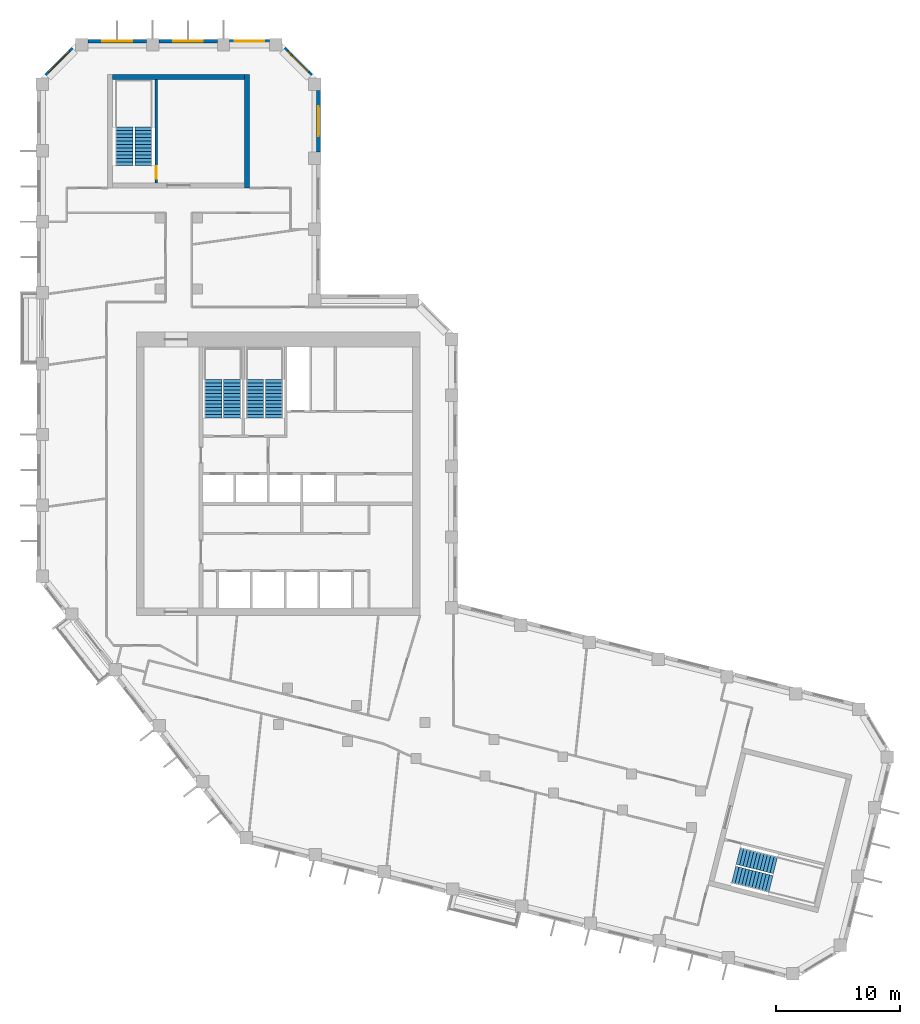
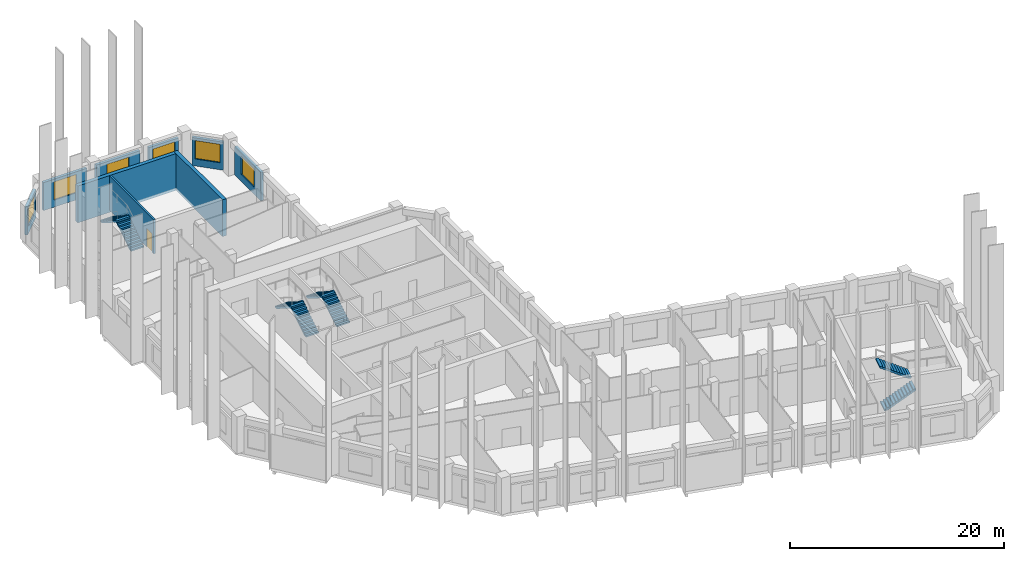
# One storey, part 8 of 9: 9 walls, 8 stair flights, 6 windows, 1 door, 7 openings, 4 elements without a shape of their own.
"""IFC4 building model written with IfcOpenShell, lengths in metres."""

import ifcopenshell
import ifcopenshell.guid

model = None  # the IFC model being written
_history = None  # IfcOwnerHistory: only IFC2X3 demands one
_inside = {}  # id of a spatial element -> (the spatial element, [elements in it])
_under = {}  # id of a project, library or spatial element -> (it, [spatial elements below it])
_declared = {}  # id of a project -> (the project, [libraries it declares])
_typed = {}  # id of a type object -> (the type object, [elements of that type])
_made_of = {}  # id of a material, layer set ... -> (it, [elements and type objects made of it])


def new_model(schema):
    """Start an empty IFC model of exactly this schema.

    Asked for "IFC4X3", IfcOpenShell would pick the latest addendum, in which some entities
    have other attributes; the version numbers below select the first issue.
    IFC2X3 requires an IfcOwnerHistory on every rooted entity: one is made here for all.
    """
    global model, _history
    if schema == "IFC4X3":
        model = ifcopenshell.file(schema_version=(4, 3, 0, 0))
    else:
        model = ifcopenshell.file(schema=schema)
    _inside.clear()
    _under.clear()
    _declared.clear()
    _typed.clear()
    _made_of.clear()
    _history = None
    if model.schema == "IFC2X3":
        org = make("IfcOrganization", Name="unknown")
        user = make(
            "IfcPersonAndOrganization",
            ThePerson=make("IfcPerson", FamilyName="unknown"),
            TheOrganization=org,
        )
        app = make(
            "IfcApplication",
            ApplicationDeveloper=org,
            Version="unknown",
            ApplicationFullName="unknown",
            ApplicationIdentifier="unknown",
        )
        _history = make(
            "IfcOwnerHistory",
            OwningUser=user,
            OwningApplication=app,
            ChangeAction="ADDED",
            CreationDate=0,
        )
    return model


def make(cls, **values):
    """One entity of the class cls with the attributes given. An attribute that is None is left unset."""
    return model.create_entity(
        cls, **{name: value for name, value in values.items() if value is not None}
    )


def rooted(cls, **values):
    """An entity with a GlobalId (a new one), such as an element, a storey or a relation."""
    return make(cls, GlobalId=ifcopenshell.guid.new(), OwnerHistory=_history, **values)


def si_unit(unit_type, name, prefix=None):
    """IfcSIUnit, for example si_unit("LENGTHUNIT", "METRE", prefix="MILLI")."""
    return make("IfcSIUnit", UnitType=unit_type, Prefix=prefix, Name=name)


def assignment(units):
    """IfcUnitAssignment: the units of a project."""
    return None if units is None else make("IfcUnitAssignment", Units=units)


def point(xyz):
    """IfcCartesianPoint."""
    return None if xyz is None else make("IfcCartesianPoint", Coordinates=xyz)


def direction(xyz):
    """IfcDirection."""
    return None if xyz is None else make("IfcDirection", DirectionRatios=xyz)


def frame(location, z_axis=None, x_axis=None):
    """IfcAxis2Placement3D, a coordinate frame: its origin and axes. An axis left out is left unset."""
    return make(
        "IfcAxis2Placement3D",
        Location=point(location),
        Axis=direction(z_axis),
        RefDirection=direction(x_axis),
    )


def frame_2d(location, x_axis=None):
    """IfcAxis2Placement2D, a coordinate frame in the plane: its origin and x axis."""
    return make(
        "IfcAxis2Placement2D", Location=point(location), RefDirection=direction(x_axis)
    )


def origin():
    """The frame at (0, 0, 0) with its axes left unset."""
    return frame((0.0, 0.0, 0.0))


def place(relative_to, where):
    """IfcLocalPlacement: puts the frame where relative to a parent placement (None: the world)."""
    return make(
        "IfcLocalPlacement", PlacementRelTo=relative_to, RelativePlacement=where
    )


def context(
    kind, dimensions, precision=None, world=None, true_north=None, identifier=None
):
    """IfcGeometricRepresentationContext, for example the 3D "Model" context."""
    return make(
        "IfcGeometricRepresentationContext",
        ContextIdentifier=identifier,
        ContextType=kind,
        CoordinateSpaceDimension=dimensions,
        Precision=precision,
        WorldCoordinateSystem=world,
        TrueNorth=true_north,
    )


def subcontext(parent, identifier, kind, view, scale=None):
    """IfcGeometricRepresentationSubContext, for example "Body" below "Model"."""
    return make(
        "IfcGeometricRepresentationSubContext",
        ContextIdentifier=identifier,
        ContextType=kind,
        ParentContext=parent,
        TargetScale=scale,
        TargetView=view,
    )


def project(units=None, contexts=None):
    """IfcProject with its units and contexts."""
    return rooted(
        "IfcProject",
        Name="project",
        RepresentationContexts=contexts,
        UnitsInContext=assignment(units),
    )


def spatial(cls, under=None, at=None, **own):
    """A site, building, storey or space (cls), placed at a placement, below another one or the project."""
    s = rooted(cls, ObjectPlacement=at, **own)
    if under is not None:
        _under.setdefault(under.id(), (under, []))[1].append(s)
    return s


def polyline(points):
    """IfcPolyline through the points."""
    return make("IfcPolyline", Points=[point(p) for p in points])


def profile(cls, at=None, kind="AREA", **sizes):
    """A parametric profile (cls). Its sizes go by their IFC names, for example OverallWidth=200.0."""
    return make(cls, ProfileType=kind, Position=at, **sizes)


def rectangle(**sizes):
    """IfcRectangleProfileDef."""
    return profile("IfcRectangleProfileDef", **sizes)


def outline(outer, holes=None, kind="AREA"):
    """IfcArbitraryClosedProfileDef: a profile drawn as a closed curve; with holes, ...WithVoids."""
    if holes is None:
        return make("IfcArbitraryClosedProfileDef", ProfileType=kind, OuterCurve=outer)
    return make(
        "IfcArbitraryProfileDefWithVoids",
        ProfileType=kind,
        OuterCurve=outer,
        InnerCurves=holes,
    )


def extrude(swept, where, along, depth):
    """IfcExtrudedAreaSolid: the profile swept, set in the frame where, extruded along a direction by depth."""
    return make(
        "IfcExtrudedAreaSolid",
        SweptArea=swept,
        Position=where,
        ExtrudedDirection=direction(along),
        Depth=depth,
    )


def shape(context_of_items, identifier, shape_type, items):
    """IfcShapeRepresentation: the items that make up one representation, for example the "Body"."""
    return make(
        "IfcShapeRepresentation",
        ContextOfItems=context_of_items,
        RepresentationIdentifier=identifier,
        RepresentationType=shape_type,
        Items=items,
    )


def material(Name=None, Category=None):
    """IfcMaterial."""
    return make("IfcMaterial", Name=Name, Category=Category)


def layer(
    of_material, thickness, ventilated=None, Name=None, Category=None, Priority=None
):
    """IfcMaterialLayer: one layer of a wall or slab, of a material (None: an air gap)."""
    return make(
        "IfcMaterialLayer",
        Material=of_material,
        LayerThickness=thickness,
        IsVentilated=ventilated,
        Name=Name,
        Category=Category,
        Priority=Priority,
    )


def layer_set(layers, Name=None):
    """IfcMaterialLayerSet."""
    return make("IfcMaterialLayerSet", MaterialLayers=layers, LayerSetName=Name)


def made_of(thing, what):
    """Note that an element or type object is made of a material, layer set ...; save() writes the relation."""
    if what is not None:
        _made_of.setdefault(what.id(), (what, []))[1].append(thing)
    return thing


def type_object(cls, material=None, **own):
    """A type object (cls), such as IfcWallType, which elements share."""
    return made_of(rooted(cls, **own), material)


def element(
    cls,
    number,
    at=None,
    inside=None,
    cuts=None,
    type_object=None,
    material=None,
    context=None,
    identifier="Body",
    shape_type=None,
    held_by="IfcProductDefinitionShape",
    body=None,
    shapes=None,
    **own,
):
    """One element of the class cls, such as IfcWall. Its Tag is "e" and its number.

    at: its placement. inside: the storey or other place that contains it. cuts: it is an
    opening in that element (IfcRelVoidsElement). A single representation is given by context,
    identifier, shape_type and body (its items); several are given by shapes. held_by: the class
    of the entity that holds the representations. save() writes the other relations.
    """
    e = rooted(cls, Tag="e%d" % number, ObjectPlacement=at, **own)
    if body is not None:
        shapes = [shape(context, identifier, shape_type, body)]
    if shapes is not None:
        e.Representation = make(held_by, Representations=shapes)
    if inside is not None:
        _inside.setdefault(inside.id(), (inside, []))[1].append(e)
    if cuts is not None:
        rooted(
            "IfcRelVoidsElement", RelatingBuildingElement=cuts, RelatedOpeningElement=e
        )
    if type_object is not None:
        _typed.setdefault(type_object.id(), (type_object, []))[1].append(e)
    return made_of(e, material)


def fill(opening, filler):
    """IfcRelFillsElement: the door or window that sits in an opening."""
    return rooted(
        "IfcRelFillsElement",
        RelatingOpeningElement=opening,
        RelatedBuildingElement=filler,
    )


def aggregate(whole, parts):
    """IfcRelAggregates: a whole, such as a stair, and the parts it consists of."""
    return rooted("IfcRelAggregates", RelatingObject=whole, RelatedObjects=parts)


def save(model, path):
    """Write the relations noted so far, then the file.

    IfcRelAggregates (storeys below a building ...), IfcRelContainedInSpatialStructure (elements
    in a storey), IfcRelDefinesByType, IfcRelAssociatesMaterial and IfcRelDeclares: one each for
    every whole, place, type object, material and project.
    """
    for whole, parts in _under.values():
        aggregate(whole, parts)
    for where, things in _inside.values():
        rooted(
            "IfcRelContainedInSpatialStructure",
            RelatedElements=things,
            RelatingStructure=where,
        )
    for kind, things in _typed.values():
        rooted("IfcRelDefinesByType", RelatedObjects=things, RelatingType=kind)
    for what, things in _made_of.values():
        rooted("IfcRelAssociatesMaterial", RelatedObjects=things, RelatingMaterial=what)
    for by, libraries in _declared.values():
        rooted("IfcRelDeclares", RelatingContext=by, RelatedDefinitions=libraries)
    model.write(path)


model = new_model("IFC4")

# Units and contexts
model_context = context("Model", 3, precision=1e-05, world=origin(), true_north=direction((0.0, 1.0)))
body_context = subcontext(model_context, "Body", "Model", "MODEL_VIEW")
ifc_project = project(units=[si_unit("LENGTHUNIT", "METRE"), si_unit("AREAUNIT", "SQUARE_METRE"), si_unit("VOLUMEUNIT", "CUBIC_METRE"), si_unit("PLANEANGLEUNIT", "RADIAN"), si_unit("MASSUNIT", "GRAM", prefix="KILO")], contexts=[model_context])

# Site, building, storey
site_placement = place(None, origin())
site = spatial("IfcSite", under=ifc_project, at=site_placement, CompositionType="ELEMENT")
building_placement = place(site_placement, origin())
building = spatial("IfcBuilding", under=site, at=building_placement, Name="Meshkara Civic Tower", CompositionType="ELEMENT")
storey_placement = place(building_placement, frame((0.0, 0.0, 323.39990234375)))
storey = spatial("IfcBuildingStorey", under=building, at=storey_placement, Name="L74", CompositionType="ELEMENT", Elevation=323.39990234375)

# Wall, opening, window
ifc_material_1 = material(Name="Insulated infill panel with bronze anodised aluminium cladding", Category="aluminium")
ifc_layer_1 = layer(ifc_material_1, 0.300048828125)
ifc_layer_set_1 = layer_set([ifc_layer_1], Name="EXTERNAL INFILL WALL 300")
wall_type_1 = type_object("IfcWallType", Name="EXTERNAL INFILL WALL 300", PredefinedType="SOLIDWALL", material=ifc_layer_set_1)
wall_1_placement = place(storey_placement, frame((22.64990234375, 51.35009765625, 0.0), z_axis=(0.0, 0.0, 1.0), x_axis=(0.0, 1.0, 0.0)))
wall_1 = element("IfcWall", 1, at=wall_1_placement, inside=storey, type_object=wall_type_1, Name="External wall", PredefinedType="SOLIDWALL", context=body_context, shape_type="SweptSolid", body=[
    extrude(rectangle(XDim=4.9638671875, YDim=0.300048828125, at=frame_2d((2.48193359375, 0.0))), origin(), (0.0, 0.0, 1.0), 3.2001953125),
])
opening_1_placement = place(wall_1_placement, frame((1.281982421875, 0.0, 0.800048828125)))
opening_1 = element("IfcOpeningElement", 2, at=opening_1_placement, cuts=wall_1, Name="Opening W7", PredefinedType="OPENING", context=body_context, shape_type="SweptSolid", body=[
    extrude(rectangle(XDim=2.39990234375, YDim=2.10009765625, at=frame_2d((1.199951171875, 1.050048828125))), frame((0.0, 0.159912109375, 0.0), z_axis=(0.0, -1.0, 0.0), x_axis=(1.0, 0.0, 0.0)), (0.0, 0.0, 1.0), 0.320068359375),
])
ifc_material_2 = material(Name="Tinted double glazing", Category="glass")
window_type = type_object("IfcWindowType", Name="WINDOW 2400x2100", PartitioningType="DOUBLE_PANEL_VERTICAL", PredefinedType="WINDOW", material=ifc_material_2)
window_1_placement = place(opening_1_placement, origin())
window_1 = element("IfcWindow", 3, at=window_1_placement, inside=storey, type_object=window_type, Name="Window", OverallHeight=2.10009765625, OverallWidth=2.39990234375, PartitioningType="DOUBLE_PANEL_VERTICAL", PredefinedType="WINDOW", context=body_context, shape_type="SweptSolid", body=[
    extrude(rectangle(XDim=2.39990234375, YDim=2.10009765625, at=frame_2d((1.199951171875, 1.050048828125))), frame((0.0, 0.030029296875, 0.0), z_axis=(0.0, -1.0, 0.0), x_axis=(1.0, 0.0, 0.0)), (0.0, 0.0, 1.0), 0.06005859375),
])
fill(opening_1, window_1)

wall_2_placement = place(storey_placement, frame((22.06201171875, 57.52587890625, 0.0), z_axis=(0.0, 0.0, 1.0), x_axis=(-0.707106781187, 0.707106781187, 0.0)))
wall_2 = element("IfcWall", 4, at=wall_2_placement, inside=storey, type_object=wall_type_1, Name="External wall", PredefinedType="SOLIDWALL", context=body_context, shape_type="SweptSolid", body=[
    extrude(rectangle(XDim=3.049072265625, YDim=0.300048828125, at=frame_2d((1.5244140625, 0.0))), origin(), (0.0, 0.0, 1.0), 3.2001953125),
])
opening_2_placement = place(wall_2_placement, frame((0.324951171875, 0.0, 0.800048828125)))
opening_2 = element("IfcOpeningElement", 5, at=opening_2_placement, cuts=wall_2, Name="Opening W7", PredefinedType="OPENING", context=body_context, shape_type="SweptSolid", body=[
    extrude(rectangle(XDim=2.39990234375, YDim=2.10009765625, at=frame_2d((1.199951171875, 1.050048828125))), frame((0.0, 0.159912109375, 0.0), z_axis=(0.0, -1.0, 0.0), x_axis=(1.0, 0.0, 0.0)), (0.0, 0.0, 1.0), 0.320068359375),
])
window_2_placement = place(opening_2_placement, origin())
window_2 = element("IfcWindow", 6, at=window_2_placement, inside=storey, type_object=window_type, Name="Window", OverallHeight=2.10009765625, OverallWidth=2.39990234375, PartitioningType="DOUBLE_PANEL_VERTICAL", PredefinedType="WINDOW", context=body_context, shape_type="SweptSolid", body=[
    extrude(rectangle(XDim=2.39990234375, YDim=2.10009765625, at=frame_2d((1.199951171875, 1.050048828125))), frame((0.0, 0.030029296875, 0.0), z_axis=(0.0, -1.0, 0.0), x_axis=(1.0, 0.0, 0.0)), (0.0, 0.0, 1.0), 0.06005859375),
])
fill(opening_2, window_2)

wall_3_placement = place(storey_placement, frame((18.694091796875, 60.27001953125, 0.0), z_axis=(0.0, 0.0, 1.0), x_axis=(-1.0, 0.0, 0.0)))
wall_3 = element("IfcWall", 7, at=wall_3_placement, inside=storey, type_object=wall_type_1, Name="External wall", PredefinedType="SOLIDWALL", context=body_context, shape_type="SweptSolid", body=[
    extrude(rectangle(XDim=3.18798828125, YDim=0.300048828125, at=frame_2d((1.593994140625, 0.0))), origin(), (0.0, 0.0, 1.0), 3.2001953125),
])
opening_3_placement = place(wall_3_placement, frame((0.39404296875, 0.0, 0.800048828125)))
opening_3 = element("IfcOpeningElement", 8, at=opening_3_placement, cuts=wall_3, Name="Opening W7", PredefinedType="OPENING", context=body_context, shape_type="SweptSolid", body=[
    extrude(rectangle(XDim=2.39990234375, YDim=2.10009765625, at=frame_2d((1.199951171875, 1.050048828125))), frame((0.0, 0.159912109375, 0.0), z_axis=(0.0, -1.0, 0.0), x_axis=(1.0, 0.0, 0.0)), (0.0, 0.0, 1.0), 0.320068359375),
])
window_3_placement = place(opening_3_placement, origin())
window_3 = element("IfcWindow", 9, at=window_3_placement, inside=storey, type_object=window_type, Name="Window", OverallHeight=2.10009765625, OverallWidth=2.39990234375, PartitioningType="DOUBLE_PANEL_VERTICAL", PredefinedType="WINDOW", context=body_context, shape_type="SweptSolid", body=[
    extrude(rectangle(XDim=2.39990234375, YDim=2.10009765625, at=frame_2d((1.199951171875, 1.050048828125))), frame((0.0, 0.030029296875, 0.0), z_axis=(0.0, -1.0, 0.0), x_axis=(1.0, 0.0, 0.0)), (0.0, 0.0, 1.0), 0.06005859375),
])
fill(opening_3, window_3)

wall_4_placement = place(storey_placement, frame((14.506103515625, 60.27001953125, 0.0), z_axis=(0.0, 0.0, 1.0), x_axis=(-1.0, 0.0, 0.0)))
wall_4 = element("IfcWall", 10, at=wall_4_placement, inside=storey, type_object=wall_type_1, Name="External wall", PredefinedType="SOLIDWALL", context=body_context, shape_type="SweptSolid", body=[
    extrude(rectangle(XDim=4.7001953125, YDim=0.300048828125, at=frame_2d((2.35009765625, 0.0))), origin(), (0.0, 0.0, 1.0), 3.2001953125),
])
opening_4_placement = place(wall_4_placement, frame((1.14990234375, 0.0, 0.800048828125)))
opening_4 = element("IfcOpeningElement", 11, at=opening_4_placement, cuts=wall_4, Name="Opening W7", PredefinedType="OPENING", context=body_context, shape_type="SweptSolid", body=[
    extrude(rectangle(XDim=2.39990234375, YDim=2.10009765625, at=frame_2d((1.199951171875, 1.050048828125))), frame((0.0, 0.159912109375, 0.0), z_axis=(0.0, -1.0, 0.0), x_axis=(1.0, 0.0, 0.0)), (0.0, 0.0, 1.0), 0.320068359375),
])
window_4_placement = place(opening_4_placement, origin())
window_4 = element("IfcWindow", 12, at=window_4_placement, inside=storey, type_object=window_type, Name="Window", OverallHeight=2.10009765625, OverallWidth=2.39990234375, PartitioningType="DOUBLE_PANEL_VERTICAL", PredefinedType="WINDOW", context=body_context, shape_type="SweptSolid", body=[
    extrude(rectangle(XDim=2.39990234375, YDim=2.10009765625, at=frame_2d((1.199951171875, 1.050048828125))), frame((0.0, 0.030029296875, 0.0), z_axis=(0.0, -1.0, 0.0), x_axis=(1.0, 0.0, 0.0)), (0.0, 0.0, 1.0), 0.06005859375),
])
fill(opening_4, window_4)

wall_5_placement = place(storey_placement, frame((8.805908203125, 60.27001953125, 0.0), z_axis=(0.0, 0.0, 1.0), x_axis=(-1.0, 0.0, 0.0)))
wall_5 = element("IfcWall", 13, at=wall_5_placement, inside=storey, type_object=wall_type_1, Name="External wall", PredefinedType="SOLIDWALL", context=body_context, shape_type="SweptSolid", body=[
    extrude(rectangle(XDim=4.699951171875, YDim=0.300048828125, at=frame_2d((2.35009765625, 0.0))), origin(), (0.0, 0.0, 1.0), 3.2001953125),
])
opening_5_placement = place(wall_5_placement, frame((1.14990234375, 0.0, 0.800048828125)))
opening_5 = element("IfcOpeningElement", 14, at=opening_5_placement, cuts=wall_5, Name="Opening W7", PredefinedType="OPENING", context=body_context, shape_type="SweptSolid", body=[
    extrude(rectangle(XDim=2.39990234375, YDim=2.10009765625, at=frame_2d((1.199951171875, 1.050048828125))), frame((0.0, 0.159912109375, 0.0), z_axis=(0.0, -1.0, 0.0), x_axis=(1.0, 0.0, 0.0)), (0.0, 0.0, 1.0), 0.320068359375),
])
window_5_placement = place(opening_5_placement, origin())
window_5 = element("IfcWindow", 15, at=window_5_placement, inside=storey, type_object=window_type, Name="Window", OverallHeight=2.10009765625, OverallWidth=2.39990234375, PartitioningType="DOUBLE_PANEL_VERTICAL", PredefinedType="WINDOW", context=body_context, shape_type="SweptSolid", body=[
    extrude(rectangle(XDim=2.39990234375, YDim=2.10009765625, at=frame_2d((1.199951171875, 1.050048828125))), frame((0.0, 0.030029296875, 0.0), z_axis=(0.0, -1.0, 0.0), x_axis=(1.0, 0.0, 0.0)), (0.0, 0.0, 1.0), 0.06005859375),
])
fill(opening_5, window_5)

wall_6_placement = place(storey_placement, frame((2.89404296875, 59.681884765625, 0.0), z_axis=(0.0, 0.0, 1.0), x_axis=(-0.707106781187, -0.707106781187, 0.0)))
wall_6 = element("IfcWall", 16, at=wall_6_placement, inside=storey, type_object=wall_type_1, Name="External wall", PredefinedType="SOLIDWALL", context=body_context, shape_type="SweptSolid", body=[
    extrude(rectangle(XDim=3.049072265625, YDim=0.300048828125, at=frame_2d((1.5244140625, 0.0))), origin(), (0.0, 0.0, 1.0), 3.2001953125),
])
opening_6_placement = place(wall_6_placement, frame((0.324951171875, 0.0, 0.800048828125)))
opening_6 = element("IfcOpeningElement", 17, at=opening_6_placement, cuts=wall_6, Name="Opening W7", PredefinedType="OPENING", context=body_context, shape_type="SweptSolid", body=[
    extrude(rectangle(XDim=2.39990234375, YDim=2.10009765625, at=frame_2d((1.199951171875, 1.050048828125))), frame((0.0, 0.159912109375, 0.0), z_axis=(0.0, -1.0, 0.0), x_axis=(1.0, 0.0, 0.0)), (0.0, 0.0, 1.0), 0.320068359375),
])
window_6_placement = place(opening_6_placement, origin())
window_6 = element("IfcWindow", 18, at=window_6_placement, inside=storey, type_object=window_type, Name="Window", OverallHeight=2.10009765625, OverallWidth=2.39990234375, PartitioningType="DOUBLE_PANEL_VERTICAL", PredefinedType="WINDOW", context=body_context, shape_type="SweptSolid", body=[
    extrude(rectangle(XDim=2.39990234375, YDim=2.10009765625, at=frame_2d((1.199951171875, 1.050048828125))), frame((0.0, 0.030029296875, 0.0), z_axis=(0.0, -1.0, 0.0), x_axis=(1.0, 0.0, 0.0)), (0.0, 0.0, 1.0), 0.06005859375),
])
fill(opening_6, window_6)

# Walls
ifc_material_3 = material(Name="Concrete C60", Category="concrete")
ifc_layer_2 = layer(ifc_material_3, 0.39990234375)
ifc_layer_set_2 = layer_set([ifc_layer_2], Name="End core ring wall 400 C60")
wall_type_2 = type_object("IfcWallType", Name="End core ring wall 400 C60", PredefinedType="SHEAR", material=ifc_layer_set_2)
wall_7_placement = place(storey_placement, frame((16.89990234375, 48.469970703125, -0.2998046875), z_axis=(0.0, 0.0, 1.0), x_axis=(0.0, 1.0, 0.0)))
element("IfcWall", 19, at=wall_7_placement, inside=storey, type_object=wall_type_2, Name="L74-C028", PredefinedType="SHEAR", context=body_context, shape_type="SweptSolid", body=[
    extrude(rectangle(XDim=9.10009765625, YDim=0.39990234375, at=frame_2d((4.550048828125, 0.0))), origin(), (0.0, 0.0, 1.0), 4.199951171875),
])
wall_8_placement = place(storey_placement, frame((6.10009765625, 57.3701171875, -0.2998046875), z_axis=(0.0, 0.0, 1.0), x_axis=(1.0, 0.0, 0.0)))
element("IfcWall", 20, at=wall_8_placement, inside=storey, type_object=wall_type_2, Name="L74-C030", PredefinedType="SHEAR", context=body_context, shape_type="SweptSolid", body=[
    extrude(rectangle(XDim=10.599853515625, YDim=0.39990234375, at=frame_2d((5.2998046875, 0.0))), origin(), (0.0, 0.0, 1.0), 4.199951171875),
])

# Wall, opening, door
ifc_material_4 = material(Name="Concrete C40/50", Category="concrete")
ifc_layer_3 = layer(ifc_material_4, 0.199951171875)
ifc_layer_set_3 = layer_set([ifc_layer_3], Name="Stair enclosure wall 200 C40/50")
wall_type_3 = type_object("IfcWallType", Name="Stair enclosure wall 200 C40/50", PredefinedType="SOLIDWALL", material=ifc_layer_set_3)
wall_9_placement = place(storey_placement, frame((9.60009765625, 48.8701171875, 0.0), z_axis=(0.0, 0.0, 1.0), x_axis=(0.0, 1.0, 0.0)))
wall_9 = element("IfcWall", 21, at=wall_9_placement, inside=storey, type_object=wall_type_3, Name="L74-C031", PredefinedType="SOLIDWALL", context=body_context, shape_type="SweptSolid", body=[
    extrude(rectangle(XDim=8.2998046875, YDim=0.199951171875, at=frame_2d((4.14990234375, 0.0))), origin(), (0.0, 0.0, 1.0), 3.900146484375),
])
opening_7_placement = place(wall_9_placement, frame((0.35009765625, 0.0, 0.0)))
opening_7 = element("IfcOpeningElement", 22, at=opening_7_placement, cuts=wall_9, Name="Opening L74-K101", PredefinedType="OPENING", context=body_context, shape_type="SweptSolid", body=[
    extrude(rectangle(XDim=1.0, YDim=2.10009765625, at=frame_2d((0.5, 1.050048828125))), frame((0.0, 0.10986328125, 0.0), z_axis=(0.0, -1.0, 0.0), x_axis=(1.0, 0.0, 0.0)), (0.0, 0.0, 1.0), 0.219970703125),
])
ifc_material_5 = material(Name="Fire-rated door leaf in steel frame", Category="steel")
door_type = type_object("IfcDoorType", Name="Stair door 1000 EI 120", OperationType="SINGLE_SWING_LEFT", PredefinedType="DOOR", material=ifc_material_5)
door_placement = place(opening_7_placement, origin())
door = element("IfcDoor", 23, at=door_placement, inside=storey, type_object=door_type, Name="L74-K101", OperationType="SINGLE_SWING_RIGHT", OverallHeight=2.10009765625, OverallWidth=1.0, PredefinedType="DOOR", context=body_context, shape_type="SweptSolid", body=[
    extrude(rectangle(XDim=1.0, YDim=2.10009765625, at=frame_2d((0.5, 1.050048828125))), frame((0.0, 0.02490234375, 0.0), z_axis=(0.0, -1.0, 0.0), x_axis=(1.0, 0.0, 0.0)), (0.0, 0.0, 1.0), 0.050048828125),
])
fill(opening_7, door)

# Stair, stair flights
ifc_material_6 = material(Name="Precast concrete C40/50", Category="concrete")
stair_type = type_object("IfcStairType", Name="Exit stair half-turn 24 risers precast", PredefinedType="HALF_TURN_STAIR", material=ifc_material_6)
stair_1_placement = place(storey_placement, origin())
stair_1 = element("IfcStair", 24, at=stair_1_placement, inside=storey, type_object=stair_type, Name="L74 exit stair 1", PredefinedType="HALF_TURN_STAIR")
ifc_material_7 = material(Name="Precast concrete C40/50", Category="concrete")
stair_flight_type = type_object("IfcStairFlightType", Name="Exit stair flight 12 risers precast", PredefinedType="STRAIGHT", material=ifc_material_7)
stair_flight_1_placement = place(storey_placement, frame((15.72509765625, 30.0, 0.0), z_axis=(0.0, 0.0, 1.0), x_axis=(0.0, 1.0, 0.0)))
stair_flight_1 = element("IfcStairFlight", 25, at=stair_flight_1_placement, type_object=stair_flight_type, Name="ST1 flight 1", NumberOfRisers=12, NumberOfTreads=11, PredefinedType="STRAIGHT", RiserHeight=0.175, TreadLength=0.28, context=body_context, shape_type="SweptSolid", body=[
    extrude(outline(polyline([(0.0, 0.0), (0.0, 0.175048828125), (0.280029296875, 0.175048828125), (0.280029296875, 0.35009765625), (0.56005859375, 0.35009765625), (0.56005859375, 0.52490234375), (0.840087890625, 0.52490234375), (0.840087890625, 0.699951171875), (1.1201171875, 0.699951171875), (1.1201171875, 0.875), (1.39990234375, 0.875), (1.39990234375, 1.050048828125), (1.679931640625, 1.050048828125), (1.679931640625, 1.22509765625), (1.9599609375, 1.22509765625), (1.9599609375, 1.39990234375), (2.239990234375, 1.39990234375), (2.239990234375, 1.574951171875), (2.52001953125, 1.574951171875), (2.52001953125, 1.75), (2.800048828125, 1.75), (2.800048828125, 1.925048828125), (3.080078125, 1.925048828125), (3.080078125, 2.10009765625), (3.080078125, 1.748291015625), (0.28271484375, 0.0), (0.0, 0.0)])), frame((0.0, 0.699951171875, 0.0), z_axis=(0.0, -1.0, 0.0), x_axis=(1.0, 0.0, 0.0)), (0.0, 0.0, 1.0), 1.39990234375),
])
stair_flight_2_placement = place(storey_placement, frame((14.175048828125, 33.080078125, 2.10009765625), z_axis=(0.0, 0.0, 1.0), x_axis=(0.0, -1.0, 0.0)))
stair_flight_2 = element("IfcStairFlight", 26, at=stair_flight_2_placement, type_object=stair_flight_type, Name="ST1 flight 2", NumberOfRisers=12, NumberOfTreads=11, PredefinedType="STRAIGHT", RiserHeight=0.175, TreadLength=0.28, context=body_context, shape_type="SweptSolid", body=[
    extrude(outline(polyline([(0.0, 0.0), (0.0, 0.175048828125), (0.280029296875, 0.175048828125), (0.280029296875, 0.35009765625), (0.56005859375, 0.35009765625), (0.56005859375, 0.52490234375), (0.840087890625, 0.52490234375), (0.840087890625, 0.699951171875), (1.1201171875, 0.699951171875), (1.1201171875, 0.875), (1.39990234375, 0.875), (1.39990234375, 1.050048828125), (1.679931640625, 1.050048828125), (1.679931640625, 1.22509765625), (1.9599609375, 1.22509765625), (1.9599609375, 1.39990234375), (2.239990234375, 1.39990234375), (2.239990234375, 1.574951171875), (2.52001953125, 1.574951171875), (2.52001953125, 1.75), (2.800048828125, 1.75), (2.800048828125, 1.925048828125), (3.080078125, 1.925048828125), (3.080078125, 2.10009765625), (3.080078125, 1.748291015625), (0.28271484375, 0.0), (0.0, 0.0)])), frame((0.0, 0.699951171875, 0.0), z_axis=(0.0, -1.0, 0.0), x_axis=(1.0, 0.0, 0.0)), (0.0, 0.0, 1.0), 1.39990234375),
])
aggregate(stair_1, [stair_flight_1, stair_flight_2])

stair_2_placement = place(storey_placement, origin())
stair_2 = element("IfcStair", 27, at=stair_2_placement, inside=storey, type_object=stair_type, Name="L74 exit stair 2", PredefinedType="HALF_TURN_STAIR")
stair_flight_3_placement = place(storey_placement, frame((19.074951171875, 30.0, 0.0), z_axis=(0.0, 0.0, 1.0), x_axis=(0.0, 1.0, 0.0)))
stair_flight_3 = element("IfcStairFlight", 28, at=stair_flight_3_placement, type_object=stair_flight_type, Name="ST2 flight 1", NumberOfRisers=12, NumberOfTreads=11, PredefinedType="STRAIGHT", RiserHeight=0.175, TreadLength=0.28, context=body_context, shape_type="SweptSolid", body=[
    extrude(outline(polyline([(0.0, 0.0), (0.0, 0.175048828125), (0.280029296875, 0.175048828125), (0.280029296875, 0.35009765625), (0.56005859375, 0.35009765625), (0.56005859375, 0.52490234375), (0.840087890625, 0.52490234375), (0.840087890625, 0.699951171875), (1.1201171875, 0.699951171875), (1.1201171875, 0.875), (1.39990234375, 0.875), (1.39990234375, 1.050048828125), (1.679931640625, 1.050048828125), (1.679931640625, 1.22509765625), (1.9599609375, 1.22509765625), (1.9599609375, 1.39990234375), (2.239990234375, 1.39990234375), (2.239990234375, 1.574951171875), (2.52001953125, 1.574951171875), (2.52001953125, 1.75), (2.800048828125, 1.75), (2.800048828125, 1.925048828125), (3.080078125, 1.925048828125), (3.080078125, 2.10009765625), (3.080078125, 1.748291015625), (0.28271484375, 0.0), (0.0, 0.0)])), frame((0.0, 0.699951171875, 0.0), z_axis=(0.0, -1.0, 0.0), x_axis=(1.0, 0.0, 0.0)), (0.0, 0.0, 1.0), 1.39990234375),
])
stair_flight_4_placement = place(storey_placement, frame((17.52490234375, 33.080078125, 2.10009765625), z_axis=(0.0, 0.0, 1.0), x_axis=(0.0, -1.0, 0.0)))
stair_flight_4 = element("IfcStairFlight", 29, at=stair_flight_4_placement, type_object=stair_flight_type, Name="ST2 flight 2", NumberOfRisers=12, NumberOfTreads=11, PredefinedType="STRAIGHT", RiserHeight=0.175, TreadLength=0.28, context=body_context, shape_type="SweptSolid", body=[
    extrude(outline(polyline([(0.0, 0.0), (0.0, 0.175048828125), (0.280029296875, 0.175048828125), (0.280029296875, 0.35009765625), (0.56005859375, 0.35009765625), (0.56005859375, 0.52490234375), (0.840087890625, 0.52490234375), (0.840087890625, 0.699951171875), (1.1201171875, 0.699951171875), (1.1201171875, 0.875), (1.39990234375, 0.875), (1.39990234375, 1.050048828125), (1.679931640625, 1.050048828125), (1.679931640625, 1.22509765625), (1.9599609375, 1.22509765625), (1.9599609375, 1.39990234375), (2.239990234375, 1.39990234375), (2.239990234375, 1.574951171875), (2.52001953125, 1.574951171875), (2.52001953125, 1.75), (2.800048828125, 1.75), (2.800048828125, 1.925048828125), (3.080078125, 1.925048828125), (3.080078125, 2.10009765625), (3.080078125, 1.748291015625), (0.28271484375, 0.0), (0.0, 0.0)])), frame((0.0, 0.699951171875, 0.0), z_axis=(0.0, -1.0, 0.0), x_axis=(1.0, 0.0, 0.0)), (0.0, 0.0, 1.0), 1.39990234375),
])
aggregate(stair_2, [stair_flight_3, stair_flight_4])

stair_3_placement = place(storey_placement, origin())
stair_3 = element("IfcStair", 30, at=stair_3_placement, inside=storey, type_object=stair_type, Name="L74 exit stair A from L65", PredefinedType="HALF_TURN_STAIR")
stair_flight_5_placement = place(storey_placement, frame((8.574951171875, 50.27001953125, 0.0), z_axis=(0.0, 0.0, 1.0), x_axis=(0.0, 1.0, 0.0)))
stair_flight_5 = element("IfcStairFlight", 31, at=stair_flight_5_placement, type_object=stair_flight_type, Name="ESA5 flight 1", NumberOfRisers=12, NumberOfTreads=11, PredefinedType="STRAIGHT", RiserHeight=0.175, TreadLength=0.28, context=body_context, shape_type="SweptSolid", body=[
    extrude(outline(polyline([(0.0, 0.0), (0.0, 0.175048828125), (0.280029296875, 0.175048828125), (0.280029296875, 0.35009765625), (0.56005859375, 0.35009765625), (0.56005859375, 0.52490234375), (0.840087890625, 0.52490234375), (0.840087890625, 0.699951171875), (1.1201171875, 0.699951171875), (1.1201171875, 0.875), (1.39990234375, 0.875), (1.39990234375, 1.050048828125), (1.679931640625, 1.050048828125), (1.679931640625, 1.22509765625), (1.9599609375, 1.22509765625), (1.9599609375, 1.39990234375), (2.239990234375, 1.39990234375), (2.239990234375, 1.574951171875), (2.52001953125, 1.574951171875), (2.52001953125, 1.75), (2.800048828125, 1.75), (2.800048828125, 1.925048828125), (3.080078125, 1.925048828125), (3.080078125, 2.10009765625), (3.080078125, 1.748291015625), (0.28271484375, 0.0), (0.0, 0.0)])), frame((0.0, 0.699951171875, 0.0), z_axis=(0.0, -1.0, 0.0), x_axis=(1.0, 0.0, 0.0)), (0.0, 0.0, 1.0), 1.39990234375),
])
stair_flight_6_placement = place(storey_placement, frame((7.02490234375, 53.35009765625, 2.10009765625), z_axis=(0.0, 0.0, 1.0), x_axis=(0.0, -1.0, 0.0)))
stair_flight_6 = element("IfcStairFlight", 32, at=stair_flight_6_placement, type_object=stair_flight_type, Name="ESA5 flight 2", NumberOfRisers=12, NumberOfTreads=11, PredefinedType="STRAIGHT", RiserHeight=0.175, TreadLength=0.28, context=body_context, shape_type="SweptSolid", body=[
    extrude(outline(polyline([(0.0, 0.0), (0.0, 0.175048828125), (0.280029296875, 0.175048828125), (0.280029296875, 0.35009765625), (0.56005859375, 0.35009765625), (0.56005859375, 0.52490234375), (0.840087890625, 0.52490234375), (0.840087890625, 0.699951171875), (1.1201171875, 0.699951171875), (1.1201171875, 0.875), (1.39990234375, 0.875), (1.39990234375, 1.050048828125), (1.679931640625, 1.050048828125), (1.679931640625, 1.22509765625), (1.9599609375, 1.22509765625), (1.9599609375, 1.39990234375), (2.239990234375, 1.39990234375), (2.239990234375, 1.574951171875), (2.52001953125, 1.574951171875), (2.52001953125, 1.75), (2.800048828125, 1.75), (2.800048828125, 1.925048828125), (3.080078125, 1.925048828125), (3.080078125, 2.10009765625), (3.080078125, 1.748291015625), (0.28271484375, 0.0), (0.0, 0.0)])), frame((0.0, 0.699951171875, 0.0), z_axis=(0.0, -1.0, 0.0), x_axis=(1.0, 0.0, 0.0)), (0.0, 0.0, 1.0), 1.39990234375),
])
aggregate(stair_3, [stair_flight_5, stair_flight_6])

stair_4_placement = place(storey_placement, origin())
stair_4 = element("IfcStair", 33, at=stair_4_placement, inside=storey, type_object=stair_type, Name="L74 exit stair B from L65", PredefinedType="HALF_TURN_STAIR")
stair_flight_7_placement = place(storey_placement, frame((56.0068359375, -6.723876953125, 0.0), z_axis=(0.0, 0.0, 1.0), x_axis=(0.970260066579, -0.242064873955, 0.0)))
stair_flight_7 = element("IfcStairFlight", 34, at=stair_flight_7_placement, type_object=stair_flight_type, Name="ESB5 flight 1", NumberOfRisers=12, NumberOfTreads=11, PredefinedType="STRAIGHT", RiserHeight=0.175, TreadLength=0.28, context=body_context, shape_type="SweptSolid", body=[
    extrude(outline(polyline([(0.0, 0.0), (0.0, 0.175048828125), (0.280029296875, 0.175048828125), (0.280029296875, 0.35009765625), (0.56005859375, 0.35009765625), (0.56005859375, 0.52490234375), (0.840087890625, 0.52490234375), (0.840087890625, 0.699951171875), (1.1201171875, 0.699951171875), (1.1201171875, 0.875), (1.39990234375, 0.875), (1.39990234375, 1.050048828125), (1.679931640625, 1.050048828125), (1.679931640625, 1.22509765625), (1.9599609375, 1.22509765625), (1.9599609375, 1.39990234375), (2.239990234375, 1.39990234375), (2.239990234375, 1.574951171875), (2.52001953125, 1.574951171875), (2.52001953125, 1.75), (2.800048828125, 1.75), (2.800048828125, 1.925048828125), (3.080078125, 1.925048828125), (3.080078125, 2.10009765625), (3.080078125, 1.748291015625), (0.28271484375, 0.0), (0.0, 0.0)])), frame((0.0, 0.699951171875, 0.0), z_axis=(0.0, -1.0, 0.0), x_axis=(1.0, 0.0, 0.0)), (0.0, 0.0, 1.0), 1.39990234375),
])
stair_flight_8_placement = place(storey_placement, frame((59.370361328125, -5.965576171875, 2.10009765625), z_axis=(0.0, 0.0, 1.0), x_axis=(-0.970260066579, 0.242064873955, 0.0)))
stair_flight_8 = element("IfcStairFlight", 35, at=stair_flight_8_placement, type_object=stair_flight_type, Name="ESB5 flight 2", NumberOfRisers=12, NumberOfTreads=11, PredefinedType="STRAIGHT", RiserHeight=0.175, TreadLength=0.28, context=body_context, shape_type="SweptSolid", body=[
    extrude(outline(polyline([(0.0, 0.0), (0.0, 0.175048828125), (0.280029296875, 0.175048828125), (0.280029296875, 0.35009765625), (0.56005859375, 0.35009765625), (0.56005859375, 0.52490234375), (0.840087890625, 0.52490234375), (0.840087890625, 0.699951171875), (1.1201171875, 0.699951171875), (1.1201171875, 0.875), (1.39990234375, 0.875), (1.39990234375, 1.050048828125), (1.679931640625, 1.050048828125), (1.679931640625, 1.22509765625), (1.9599609375, 1.22509765625), (1.9599609375, 1.39990234375), (2.239990234375, 1.39990234375), (2.239990234375, 1.574951171875), (2.52001953125, 1.574951171875), (2.52001953125, 1.75), (2.800048828125, 1.75), (2.800048828125, 1.925048828125), (3.080078125, 1.925048828125), (3.080078125, 2.10009765625), (3.080078125, 1.748291015625), (0.28271484375, 0.0), (0.0, 0.0)])), frame((0.0, 0.699951171875, 0.0), z_axis=(0.0, -1.0, 0.0), x_axis=(1.0, 0.0, 0.0)), (0.0, 0.0, 1.0), 1.39990234375),
])
aggregate(stair_4, [stair_flight_7, stair_flight_8])

save(model, "model.ifc")
